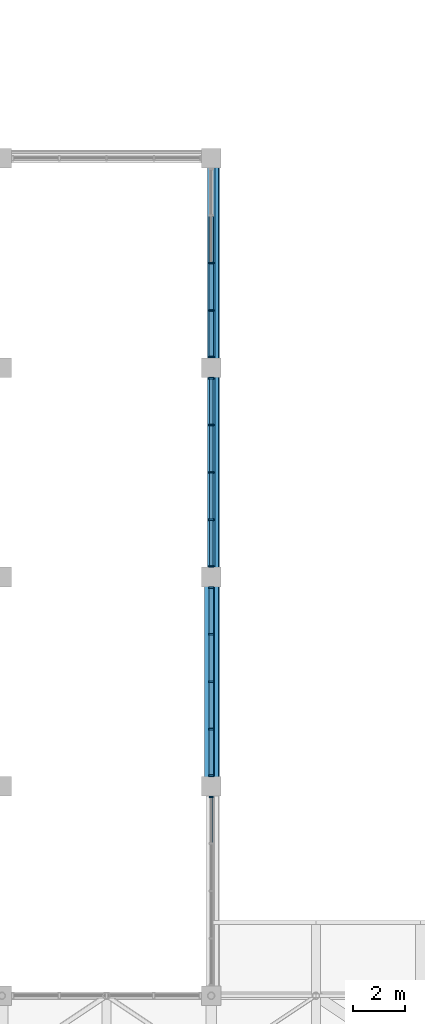
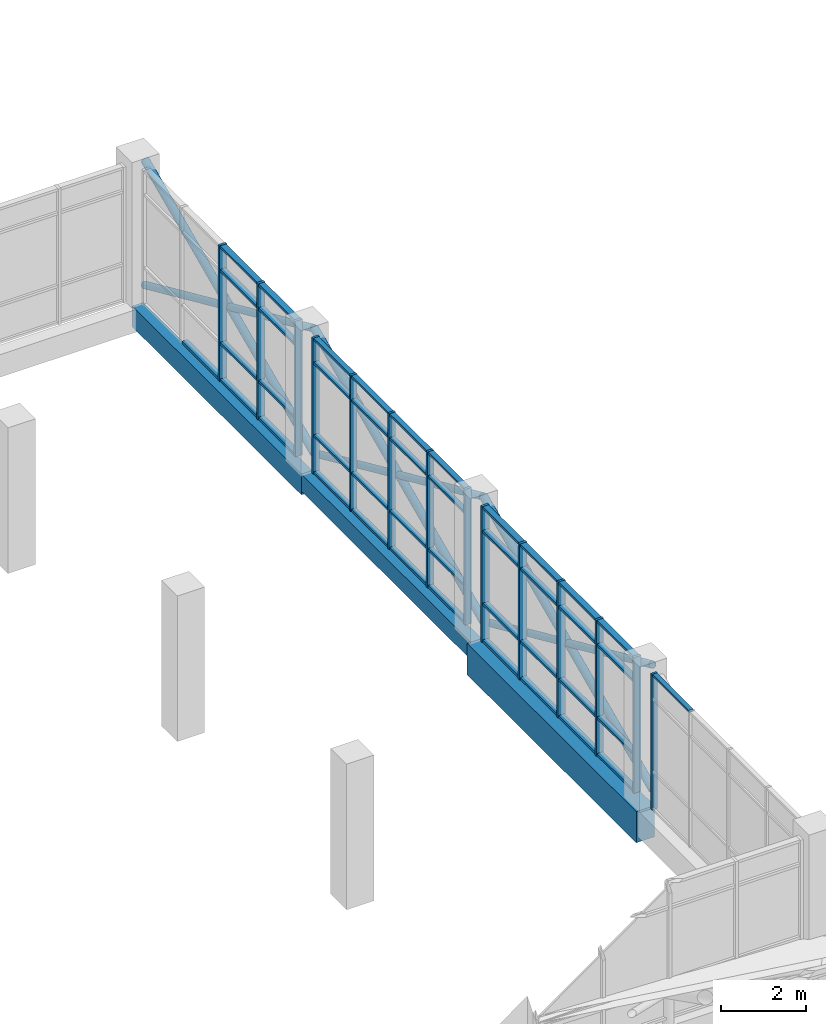
# One storey, part 35 of 72: 62 members, 3 beams, 4 elements without a shape of their own.
"""IFC4 building model written with IfcOpenShell, lengths in metres."""

import ifcopenshell
import ifcopenshell.guid

model = None  # the IFC model being written
_history = None  # IfcOwnerHistory: only IFC2X3 demands one
_inside = {}  # id of a spatial element -> (the spatial element, [elements in it])
_under = {}  # id of a project, library or spatial element -> (it, [spatial elements below it])
_declared = {}  # id of a project -> (the project, [libraries it declares])
_typed = {}  # id of a type object -> (the type object, [elements of that type])
_made_of = {}  # id of a material, layer set ... -> (it, [elements and type objects made of it])


def new_model(schema):
    """Start an empty IFC model of exactly this schema.

    Asked for "IFC4X3", IfcOpenShell would pick the latest addendum, in which some entities
    have other attributes; the version numbers below select the first issue.
    IFC2X3 requires an IfcOwnerHistory on every rooted entity: one is made here for all.
    """
    global model, _history
    if schema == "IFC4X3":
        model = ifcopenshell.file(schema_version=(4, 3, 0, 0))
    else:
        model = ifcopenshell.file(schema=schema)
    _inside.clear()
    _under.clear()
    _declared.clear()
    _typed.clear()
    _made_of.clear()
    _history = None
    if model.schema == "IFC2X3":
        org = make("IfcOrganization", Name="unknown")
        user = make(
            "IfcPersonAndOrganization",
            ThePerson=make("IfcPerson", FamilyName="unknown"),
            TheOrganization=org,
        )
        app = make(
            "IfcApplication",
            ApplicationDeveloper=org,
            Version="unknown",
            ApplicationFullName="unknown",
            ApplicationIdentifier="unknown",
        )
        _history = make(
            "IfcOwnerHistory",
            OwningUser=user,
            OwningApplication=app,
            ChangeAction="ADDED",
            CreationDate=0,
        )
    return model


def make(cls, **values):
    """One entity of the class cls with the attributes given. An attribute that is None is left unset."""
    return model.create_entity(
        cls, **{name: value for name, value in values.items() if value is not None}
    )


def rooted(cls, **values):
    """An entity with a GlobalId (a new one), such as an element, a storey or a relation."""
    return make(cls, GlobalId=ifcopenshell.guid.new(), OwnerHistory=_history, **values)


def si_unit(unit_type, name, prefix=None):
    """IfcSIUnit, for example si_unit("LENGTHUNIT", "METRE", prefix="MILLI")."""
    return make("IfcSIUnit", UnitType=unit_type, Prefix=prefix, Name=name)


def assignment(units):
    """IfcUnitAssignment: the units of a project."""
    return None if units is None else make("IfcUnitAssignment", Units=units)


def point(xyz):
    """IfcCartesianPoint."""
    return None if xyz is None else make("IfcCartesianPoint", Coordinates=xyz)


def direction(xyz):
    """IfcDirection."""
    return None if xyz is None else make("IfcDirection", DirectionRatios=xyz)


def frame(location, z_axis=None, x_axis=None):
    """IfcAxis2Placement3D, a coordinate frame: its origin and axes. An axis left out is left unset."""
    return make(
        "IfcAxis2Placement3D",
        Location=point(location),
        Axis=direction(z_axis),
        RefDirection=direction(x_axis),
    )


def frame_2d(location, x_axis=None):
    """IfcAxis2Placement2D, a coordinate frame in the plane: its origin and x axis."""
    return make(
        "IfcAxis2Placement2D", Location=point(location), RefDirection=direction(x_axis)
    )


def origin():
    """The frame at (0, 0, 0) with its axes left unset."""
    return frame((0.0, 0.0, 0.0))


def origin_2d():
    """The frame at (0, 0) in the plane with its x axis left unset."""
    return frame_2d((0.0, 0.0))


def place(relative_to, where):
    """IfcLocalPlacement: puts the frame where relative to a parent placement (None: the world)."""
    return make(
        "IfcLocalPlacement", PlacementRelTo=relative_to, RelativePlacement=where
    )


def context(
    kind, dimensions, precision=None, world=None, true_north=None, identifier=None
):
    """IfcGeometricRepresentationContext, for example the 3D "Model" context."""
    return make(
        "IfcGeometricRepresentationContext",
        ContextIdentifier=identifier,
        ContextType=kind,
        CoordinateSpaceDimension=dimensions,
        Precision=precision,
        WorldCoordinateSystem=world,
        TrueNorth=true_north,
    )


def subcontext(parent, identifier, kind, view, scale=None):
    """IfcGeometricRepresentationSubContext, for example "Body" below "Model"."""
    return make(
        "IfcGeometricRepresentationSubContext",
        ContextIdentifier=identifier,
        ContextType=kind,
        ParentContext=parent,
        TargetScale=scale,
        TargetView=view,
    )


def project(units=None, contexts=None):
    """IfcProject with its units and contexts."""
    return rooted(
        "IfcProject",
        Name="project",
        RepresentationContexts=contexts,
        UnitsInContext=assignment(units),
    )


def spatial(cls, under=None, at=None, **own):
    """A site, building, storey or space (cls), placed at a placement, below another one or the project."""
    s = rooted(cls, ObjectPlacement=at, **own)
    if under is not None:
        _under.setdefault(under.id(), (under, []))[1].append(s)
    return s


def profile(cls, at=None, kind="AREA", **sizes):
    """A parametric profile (cls). Its sizes go by their IFC names, for example OverallWidth=200.0."""
    return make(cls, ProfileType=kind, Position=at, **sizes)


def rectangle(**sizes):
    """IfcRectangleProfileDef."""
    return profile("IfcRectangleProfileDef", **sizes)


def hollow_circle(**sizes):
    """IfcCircleHollowProfileDef."""
    return profile("IfcCircleHollowProfileDef", **sizes)


def extrude(swept, where, along, depth):
    """IfcExtrudedAreaSolid: the profile swept, set in the frame where, extruded along a direction by depth."""
    return make(
        "IfcExtrudedAreaSolid",
        SweptArea=swept,
        Position=where,
        ExtrudedDirection=direction(along),
        Depth=depth,
    )


def shape(context_of_items, identifier, shape_type, items):
    """IfcShapeRepresentation: the items that make up one representation, for example the "Body"."""
    return make(
        "IfcShapeRepresentation",
        ContextOfItems=context_of_items,
        RepresentationIdentifier=identifier,
        RepresentationType=shape_type,
        Items=items,
    )


def material(Name=None, Category=None):
    """IfcMaterial."""
    return make("IfcMaterial", Name=Name, Category=Category)


def material_profile(
    of_material, cross_section, Name=None, Category=None, Priority=None
):
    """IfcMaterialProfile: a cross section and its material."""
    return make(
        "IfcMaterialProfile",
        Name=Name,
        Material=of_material,
        Profile=cross_section,
        Priority=Priority,
        Category=Category,
    )


def profile_set(profiles, Name=None, composite=None):
    """IfcMaterialProfileSet."""
    return make(
        "IfcMaterialProfileSet",
        Name=Name,
        MaterialProfiles=profiles,
        CompositeProfile=composite,
    )


def made_of(thing, what):
    """Note that an element or type object is made of a material, layer set ...; save() writes the relation."""
    if what is not None:
        _made_of.setdefault(what.id(), (what, []))[1].append(thing)
    return thing


def type_object(cls, material=None, **own):
    """A type object (cls), such as IfcWallType, which elements share."""
    return made_of(rooted(cls, **own), material)


def element(
    cls,
    number,
    at=None,
    inside=None,
    cuts=None,
    type_object=None,
    material=None,
    context=None,
    identifier="Body",
    shape_type=None,
    held_by="IfcProductDefinitionShape",
    body=None,
    shapes=None,
    **own,
):
    """One element of the class cls, such as IfcWall. Its Tag is "e" and its number.

    at: its placement. inside: the storey or other place that contains it. cuts: it is an
    opening in that element (IfcRelVoidsElement). A single representation is given by context,
    identifier, shape_type and body (its items); several are given by shapes. held_by: the class
    of the entity that holds the representations. save() writes the other relations.
    """
    e = rooted(cls, Tag="e%d" % number, ObjectPlacement=at, **own)
    if body is not None:
        shapes = [shape(context, identifier, shape_type, body)]
    if shapes is not None:
        e.Representation = make(held_by, Representations=shapes)
    if inside is not None:
        _inside.setdefault(inside.id(), (inside, []))[1].append(e)
    if cuts is not None:
        rooted(
            "IfcRelVoidsElement", RelatingBuildingElement=cuts, RelatedOpeningElement=e
        )
    if type_object is not None:
        _typed.setdefault(type_object.id(), (type_object, []))[1].append(e)
    return made_of(e, material)


def aggregate(whole, parts):
    """IfcRelAggregates: a whole, such as a stair, and the parts it consists of."""
    return rooted("IfcRelAggregates", RelatingObject=whole, RelatedObjects=parts)


def save(model, path):
    """Write the relations noted so far, then the file.

    IfcRelAggregates (storeys below a building ...), IfcRelContainedInSpatialStructure (elements
    in a storey), IfcRelDefinesByType, IfcRelAssociatesMaterial and IfcRelDeclares: one each for
    every whole, place, type object, material and project.
    """
    for whole, parts in _under.values():
        aggregate(whole, parts)
    for where, things in _inside.values():
        rooted(
            "IfcRelContainedInSpatialStructure",
            RelatedElements=things,
            RelatingStructure=where,
        )
    for kind, things in _typed.values():
        rooted("IfcRelDefinesByType", RelatedObjects=things, RelatingType=kind)
    for what, things in _made_of.values():
        rooted("IfcRelAssociatesMaterial", RelatedObjects=things, RelatingMaterial=what)
    for by, libraries in _declared.values():
        rooted("IfcRelDeclares", RelatingContext=by, RelatedDefinitions=libraries)
    model.write(path)


model = new_model("IFC4")

# Units and contexts
model_context = context("Model", 3, precision=1e-05, world=origin(), true_north=direction((0.0, 1.0)))
body_context = subcontext(model_context, "Body", "Model", "MODEL_VIEW")
ifc_project = project(units=[si_unit("LENGTHUNIT", "METRE"), si_unit("AREAUNIT", "SQUARE_METRE"), si_unit("VOLUMEUNIT", "CUBIC_METRE"), si_unit("PLANEANGLEUNIT", "RADIAN"), si_unit("MASSUNIT", "GRAM", prefix="KILO")], contexts=[model_context])

# Site, building, storey
site_placement = place(None, origin())
site = spatial("IfcSite", under=ifc_project, at=site_placement, CompositionType="ELEMENT")
building_placement = place(site_placement, origin())
building = spatial("IfcBuilding", under=site, at=building_placement, Name="Tenunan Teduh Sports Hall", CompositionType="ELEMENT")
storey_placement = place(building_placement, frame((0.0, 0.0, 15.0)))
storey = spatial("IfcBuildingStorey", under=building, at=storey_placement, Name="L03", CompositionType="ELEMENT", Elevation=15.0)

# Beams
ifc_material_1 = material(Name="Concrete C40/50", Category="concrete")
ifc_material_profile_1 = material_profile(ifc_material_1, rectangle(XDim=0.300048828125, YDim=0.5, at=origin_2d()), Name="RCB 300x500")
ifc_profile_set_1 = profile_set([ifc_material_profile_1], Name="Concrete C40/50")
beam_type_1 = type_object("IfcBeamType", Name="BM-RC-300x500", PredefinedType="BEAM", material=ifc_profile_set_1)
beam_1_placement = place(storey_placement, frame((154.0, 62.0, -0.489990234375), z_axis=(0.0, 1.0, 0.0), x_axis=(-1.0, 0.0, 0.0)))
element("IfcBeam", 1, at=beam_1_placement, inside=storey, type_object=beam_type_1, Name="BM-B-01-L03-1943", PredefinedType="BEAM", context=body_context, shape_type="SweptSolid", body=[
    extrude(rectangle(XDim=0.300048828125, YDim=0.5, at=origin_2d()), origin(), (0.0, 0.0, 1.0), 8.0),
])
ifc_material_2 = material(Name="Concrete C40/50", Category="concrete")
ifc_material_profile_2 = material_profile(ifc_material_2, rectangle(XDim=0.300048828125, YDim=0.60009765625, at=origin_2d()), Name="RCB 300x600")
ifc_profile_set_2 = profile_set([ifc_material_profile_2], Name="Concrete C40/50")
beam_type_2 = type_object("IfcBeamType", Name="BM-RC-300x600", PredefinedType="BEAM", material=ifc_profile_set_2)
beam_2_placement = place(storey_placement, frame((154.0, 70.0, -0.5400390625), z_axis=(0.0, 1.0, 0.0), x_axis=(-1.0, 0.0, 0.0)))
element("IfcBeam", 2, at=beam_2_placement, inside=storey, type_object=beam_type_2, Name="BM-B-03-L03-1944", PredefinedType="BEAM", context=body_context, shape_type="SweptSolid", body=[
    extrude(rectangle(XDim=0.300048828125, YDim=0.60009765625, at=origin_2d()), origin(), (0.0, 0.0, 1.0), 8.0),
])
ifc_material_3 = material(Name="Concrete C40/50", Category="concrete")
ifc_material_profile_3 = material_profile(ifc_material_3, rectangle(XDim=0.5, YDim=0.89990234375, at=origin_2d()), Name="RCB 500x900")
ifc_profile_set_3 = profile_set([ifc_material_profile_3], Name="Concrete C40/50")
beam_type_3 = type_object("IfcBeamType", Name="BM-RC-500x900", PredefinedType="BEAM", material=ifc_profile_set_3)
beam_3_placement = place(storey_placement, frame((154.0, 54.0, -0.68994140625), z_axis=(0.0, 1.0, 0.0), x_axis=(-1.0, 0.0, 0.0)))
element("IfcBeam", 3, at=beam_3_placement, inside=storey, type_object=beam_type_3, Name="BM-B-15-L03-1942", PredefinedType="BEAM", context=body_context, shape_type="SweptSolid", body=[
    extrude(rectangle(XDim=0.5, YDim=0.89990234375, at=origin_2d()), origin(), (0.0, 0.0, 1.0), 8.0),
])

# Curtain wall, member
ifc_material_4 = material(Name="Anodised aluminium", Category="aluminium")
curtain_wall_type = type_object("IfcCurtainWallType", Name="CW-UNIT-2", PredefinedType="NOTDEFINED", material=ifc_material_4)
curtain_wall_1_placement = place(storey_placement, origin())
curtain_wall_1 = element("IfcCurtainWall", 4, at=curtain_wall_1_placement, inside=storey, type_object=curtain_wall_type, Name="CW-CWM-150-L03-147", PredefinedType="NOTDEFINED")
ifc_material_5 = material(Name="Anodised aluminium", Category="aluminium")
ifc_material_profile_4 = material_profile(ifc_material_5, rectangle(XDim=0.06005859375, YDim=0.14990234375, at=origin_2d()), Name="CWM 60x150")
ifc_profile_set_4 = profile_set([ifc_material_profile_4], Name="Anodised aluminium")
member_type_1 = type_object("IfcMemberType", Name="CWM-150", PredefinedType="MULLION", material=ifc_profile_set_4)
member_1_placement = place(storey_placement, frame((154.0, 53.594970703125, 0.0), z_axis=(0.0, 0.0, 1.0), x_axis=(0.0, 1.0, 0.0)))
member_1 = element("IfcMember", 5, at=member_1_placement, type_object=member_type_1, Name="CW-02 mullion 5", PredefinedType="MULLION", context=body_context, shape_type="SweptSolid", body=[
    extrude(rectangle(XDim=0.06005859375, YDim=0.14990234375, at=origin_2d()), origin(), (0.0, 0.0, 1.0), 3.919921875),
])

# Curtain wall, members
curtain_wall_2_placement = place(storey_placement, origin())
curtain_wall_2 = element("IfcCurtainWall", 6, at=curtain_wall_2_placement, inside=storey, type_object=curtain_wall_type, Name="CW-CWM-175-L03-150", PredefinedType="NOTDEFINED")
ifc_material_6 = material(Name="Anodised aluminium", Category="aluminium")
ifc_material_profile_5 = material_profile(ifc_material_6, rectangle(XDim=0.06494140625, YDim=0.175048828125, at=origin_2d()), Name="CWM 65x175")
ifc_profile_set_5 = profile_set([ifc_material_profile_5], Name="Anodised aluminium")
member_type_2 = type_object("IfcMemberType", Name="CWM-175", PredefinedType="MULLION", material=ifc_profile_set_5)
member_2_placement = place(storey_placement, frame((154.0, 62.407470703125, 0.0), z_axis=(0.0, 0.0, 1.0), x_axis=(0.0, 1.0, 0.0)))
member_2 = element("IfcMember", 7, at=member_2_placement, type_object=member_type_2, Name="CW-02 mullion 1", PredefinedType="MULLION", context=body_context, shape_type="SweptSolid", body=[
    extrude(rectangle(XDim=0.06494140625, YDim=0.175048828125, at=origin_2d()), origin(), (0.0, 0.0, 1.0), 3.919921875),
])
member_3_placement = place(storey_placement, frame((154.0, 64.1875, 0.0), z_axis=(0.0, 0.0, 1.0), x_axis=(0.0, 1.0, 0.0)))
member_3 = element("IfcMember", 8, at=member_3_placement, type_object=member_type_2, Name="CW-02 mullion 2", PredefinedType="MULLION", context=body_context, shape_type="SweptSolid", body=[
    extrude(rectangle(XDim=0.06494140625, YDim=0.175048828125, at=origin_2d()), origin(), (0.0, 0.0, 1.0), 3.919921875),
])
member_4_placement = place(storey_placement, frame((154.0, 66.0, 0.0), z_axis=(0.0, 0.0, 1.0), x_axis=(0.0, 1.0, 0.0)))
member_4 = element("IfcMember", 9, at=member_4_placement, type_object=member_type_2, Name="CW-02 mullion 3", PredefinedType="MULLION", context=body_context, shape_type="SweptSolid", body=[
    extrude(rectangle(XDim=0.06494140625, YDim=0.175048828125, at=origin_2d()), origin(), (0.0, 0.0, 1.0), 3.919921875),
])
member_5_placement = place(storey_placement, frame((154.0, 67.8125, 0.0), z_axis=(0.0, 0.0, 1.0), x_axis=(0.0, 1.0, 0.0)))
member_5 = element("IfcMember", 10, at=member_5_placement, type_object=member_type_2, Name="CW-02 mullion 4", PredefinedType="MULLION", context=body_context, shape_type="SweptSolid", body=[
    extrude(rectangle(XDim=0.06494140625, YDim=0.175048828125, at=origin_2d()), origin(), (0.0, 0.0, 1.0), 3.919921875),
])
member_6_placement = place(storey_placement, frame((154.0, 69.592529296875, 0.0), z_axis=(0.0, 0.0, 1.0), x_axis=(0.0, 1.0, 0.0)))
member_6 = element("IfcMember", 11, at=member_6_placement, type_object=member_type_2, Name="CW-02 mullion 5", PredefinedType="MULLION", context=body_context, shape_type="SweptSolid", body=[
    extrude(rectangle(XDim=0.06494140625, YDim=0.175048828125, at=origin_2d()), origin(), (0.0, 0.0, 1.0), 3.919921875),
])

curtain_wall_3_placement = place(storey_placement, origin())
curtain_wall_3 = element("IfcCurtainWall", 12, at=curtain_wall_3_placement, inside=storey, type_object=curtain_wall_type, Name="CW-CWM-200-L03-148", PredefinedType="NOTDEFINED")
ifc_material_7 = material(Name="Anodised aluminium", Category="aluminium")
ifc_material_profile_6 = material_profile(ifc_material_7, rectangle(XDim=0.070068359375, YDim=0.199951171875, at=origin_2d()), Name="CWM 70x200")
ifc_profile_set_6 = profile_set([ifc_material_profile_6], Name="Anodised aluminium")
member_type_3 = type_object("IfcMemberType", Name="CWM-200", PredefinedType="MULLION", material=ifc_profile_set_6)
member_7_placement = place(storey_placement, frame((154.0, 54.409912109375, 0.0), z_axis=(0.0, 0.0, 1.0), x_axis=(0.0, 1.0, 0.0)))
member_7 = element("IfcMember", 13, at=member_7_placement, type_object=member_type_3, Name="CW-02 mullion 1", PredefinedType="MULLION", context=body_context, shape_type="SweptSolid", body=[
    extrude(rectangle(XDim=0.070068359375, YDim=0.199951171875, at=origin_2d()), origin(), (0.0, 0.0, 1.0), 3.919921875),
])
member_8_placement = place(storey_placement, frame((154.0, 56.1875, 0.0), z_axis=(0.0, 0.0, 1.0), x_axis=(0.0, 1.0, 0.0)))
member_8 = element("IfcMember", 14, at=member_8_placement, type_object=member_type_3, Name="CW-02 mullion 2", PredefinedType="MULLION", context=body_context, shape_type="SweptSolid", body=[
    extrude(rectangle(XDim=0.070068359375, YDim=0.199951171875, at=origin_2d()), origin(), (0.0, 0.0, 1.0), 3.919921875),
])
member_9_placement = place(storey_placement, frame((154.0, 58.0, 0.0), z_axis=(0.0, 0.0, 1.0), x_axis=(0.0, 1.0, 0.0)))
member_9 = element("IfcMember", 15, at=member_9_placement, type_object=member_type_3, Name="CW-02 mullion 3", PredefinedType="MULLION", context=body_context, shape_type="SweptSolid", body=[
    extrude(rectangle(XDim=0.070068359375, YDim=0.199951171875, at=origin_2d()), origin(), (0.0, 0.0, 1.0), 3.919921875),
])
member_10_placement = place(storey_placement, frame((154.0, 59.8125, 0.0), z_axis=(0.0, 0.0, 1.0), x_axis=(0.0, 1.0, 0.0)))
member_10 = element("IfcMember", 16, at=member_10_placement, type_object=member_type_3, Name="CW-02 mullion 4", PredefinedType="MULLION", context=body_context, shape_type="SweptSolid", body=[
    extrude(rectangle(XDim=0.070068359375, YDim=0.199951171875, at=origin_2d()), origin(), (0.0, 0.0, 1.0), 3.919921875),
])
member_11_placement = place(storey_placement, frame((154.0, 61.590087890625, 0.0), z_axis=(0.0, 0.0, 1.0), x_axis=(0.0, 1.0, 0.0)))
member_11 = element("IfcMember", 17, at=member_11_placement, type_object=member_type_3, Name="CW-02 mullion 5", PredefinedType="MULLION", context=body_context, shape_type="SweptSolid", body=[
    extrude(rectangle(XDim=0.070068359375, YDim=0.199951171875, at=origin_2d()), origin(), (0.0, 0.0, 1.0), 3.919921875),
])

curtain_wall_4_placement = place(storey_placement, origin())
curtain_wall_4 = element("IfcCurtainWall", 18, at=curtain_wall_4_placement, inside=storey, type_object=curtain_wall_type, Name="CW-CWM-200-L03-152", PredefinedType="NOTDEFINED")
member_12_placement = place(storey_placement, frame((154.0, 70.409912109375, 0.0), z_axis=(0.0, 0.0, 1.0), x_axis=(0.0, 1.0, 0.0)))
member_12 = element("IfcMember", 19, at=member_12_placement, type_object=member_type_3, Name="CW-02 mullion 1", PredefinedType="MULLION", context=body_context, shape_type="SweptSolid", body=[
    extrude(rectangle(XDim=0.070068359375, YDim=0.199951171875, at=origin_2d()), origin(), (0.0, 0.0, 1.0), 3.919921875),
])
member_13_placement = place(storey_placement, frame((154.0, 72.1875, 0.0), z_axis=(0.0, 0.0, 1.0), x_axis=(0.0, 1.0, 0.0)))
member_13 = element("IfcMember", 20, at=member_13_placement, type_object=member_type_3, Name="CW-02 mullion 2", PredefinedType="MULLION", context=body_context, shape_type="SweptSolid", body=[
    extrude(rectangle(XDim=0.070068359375, YDim=0.199951171875, at=origin_2d()), origin(), (0.0, 0.0, 1.0), 3.919921875),
])
member_14_placement = place(storey_placement, frame((154.0, 74.0, 0.0), z_axis=(0.0, 0.0, 1.0), x_axis=(0.0, 1.0, 0.0)))
member_14 = element("IfcMember", 21, at=member_14_placement, type_object=member_type_3, Name="CW-02 mullion 3", PredefinedType="MULLION", context=body_context, shape_type="SweptSolid", body=[
    extrude(rectangle(XDim=0.070068359375, YDim=0.199951171875, at=origin_2d()), origin(), (0.0, 0.0, 1.0), 3.919921875),
])

# Member
ifc_material_8 = material(Name="Anodised aluminium", Category="aluminium")
ifc_material_profile_7 = material_profile(ifc_material_8, rectangle(XDim=0.06005859375, YDim=0.1201171875, at=origin_2d()), Name="CWT 60x120")
ifc_profile_set_7 = profile_set([ifc_material_profile_7], Name="Anodised aluminium")
member_type_4 = type_object("IfcMemberType", Name="CWT-125", PredefinedType="USERDEFINED", material=ifc_profile_set_7)
member_15_placement = place(storey_placement, frame((154.0, 51.842529296875, 3.889892578125), z_axis=(0.0, 1.0, 0.0), x_axis=(0.0, 0.0, 1.0)))
member_15 = element("IfcMember", 22, at=member_15_placement, type_object=member_type_4, Name="CW-02 transom 4.4", ObjectType="TRANSOM", PredefinedType="USERDEFINED", context=body_context, shape_type="SweptSolid", body=[
    extrude(rectangle(XDim=0.06005859375, YDim=0.1201171875, at=origin_2d()), origin(), (0.0, 0.0, 1.0), 1.722412109375),
])

aggregate(curtain_wall_1, [member_1, member_15])

ifc_material_9 = material(Name="Anodised aluminium", Category="aluminium")
ifc_material_profile_8 = material_profile(ifc_material_9, rectangle(XDim=0.06494140625, YDim=0.139892578125, at=origin_2d()), Name="CWT 65x140")
ifc_profile_set_8 = profile_set([ifc_material_profile_8], Name="Anodised aluminium")
member_type_5 = type_object("IfcMemberType", Name="CWT-150", PredefinedType="USERDEFINED", material=ifc_profile_set_8)
member_16_placement = place(storey_placement, frame((154.0, 62.43994140625, 0.032470703125), z_axis=(0.0, 1.0, 0.0), x_axis=(0.0, 0.0, 1.0)))
member_16 = element("IfcMember", 23, at=member_16_placement, type_object=member_type_5, Name="CW-02 transom 1.1", ObjectType="TRANSOM", PredefinedType="USERDEFINED", context=body_context, shape_type="SweptSolid", body=[
    extrude(rectangle(XDim=0.06494140625, YDim=0.139892578125, at=origin_2d()), origin(), (0.0, 0.0, 1.0), 1.715087890625),
])

member_17_placement = place(storey_placement, frame((154.0, 62.43994140625, 1.10009765625), z_axis=(0.0, 1.0, 0.0), x_axis=(0.0, 0.0, 1.0)))
member_17 = element("IfcMember", 24, at=member_17_placement, type_object=member_type_5, Name="CW-02 transom 1.2", ObjectType="TRANSOM", PredefinedType="USERDEFINED", context=body_context, shape_type="SweptSolid", body=[
    extrude(rectangle(XDim=0.06494140625, YDim=0.139892578125, at=origin_2d()), origin(), (0.0, 0.0, 1.0), 1.715087890625),
])

member_18_placement = place(storey_placement, frame((154.0, 62.43994140625, 3.199951171875), z_axis=(0.0, 1.0, 0.0), x_axis=(0.0, 0.0, 1.0)))
member_18 = element("IfcMember", 25, at=member_18_placement, type_object=member_type_5, Name="CW-02 transom 1.3", ObjectType="TRANSOM", PredefinedType="USERDEFINED", context=body_context, shape_type="SweptSolid", body=[
    extrude(rectangle(XDim=0.06494140625, YDim=0.139892578125, at=origin_2d()), origin(), (0.0, 0.0, 1.0), 1.715087890625),
])

member_19_placement = place(storey_placement, frame((154.0, 62.43994140625, 3.887451171875), z_axis=(0.0, 1.0, 0.0), x_axis=(0.0, 0.0, 1.0)))
member_19 = element("IfcMember", 26, at=member_19_placement, type_object=member_type_5, Name="CW-02 transom 1.4", ObjectType="TRANSOM", PredefinedType="USERDEFINED", context=body_context, shape_type="SweptSolid", body=[
    extrude(rectangle(XDim=0.06494140625, YDim=0.139892578125, at=origin_2d()), origin(), (0.0, 0.0, 1.0), 1.715087890625),
])

member_20_placement = place(storey_placement, frame((154.0, 64.219970703125, 0.032470703125), z_axis=(0.0, 1.0, 0.0), x_axis=(0.0, 0.0, 1.0)))
member_20 = element("IfcMember", 27, at=member_20_placement, type_object=member_type_5, Name="CW-02 transom 2.1", ObjectType="TRANSOM", PredefinedType="USERDEFINED", context=body_context, shape_type="SweptSolid", body=[
    extrude(rectangle(XDim=0.06494140625, YDim=0.139892578125, at=origin_2d()), origin(), (0.0, 0.0, 1.0), 1.74755859375),
])

member_21_placement = place(storey_placement, frame((154.0, 64.219970703125, 1.10009765625), z_axis=(0.0, 1.0, 0.0), x_axis=(0.0, 0.0, 1.0)))
member_21 = element("IfcMember", 28, at=member_21_placement, type_object=member_type_5, Name="CW-02 transom 2.2", ObjectType="TRANSOM", PredefinedType="USERDEFINED", context=body_context, shape_type="SweptSolid", body=[
    extrude(rectangle(XDim=0.06494140625, YDim=0.139892578125, at=origin_2d()), origin(), (0.0, 0.0, 1.0), 1.74755859375),
])

member_22_placement = place(storey_placement, frame((154.0, 64.219970703125, 3.199951171875), z_axis=(0.0, 1.0, 0.0), x_axis=(0.0, 0.0, 1.0)))
member_22 = element("IfcMember", 29, at=member_22_placement, type_object=member_type_5, Name="CW-02 transom 2.3", ObjectType="TRANSOM", PredefinedType="USERDEFINED", context=body_context, shape_type="SweptSolid", body=[
    extrude(rectangle(XDim=0.06494140625, YDim=0.139892578125, at=origin_2d()), origin(), (0.0, 0.0, 1.0), 1.74755859375),
])

member_23_placement = place(storey_placement, frame((154.0, 64.219970703125, 3.887451171875), z_axis=(0.0, 1.0, 0.0), x_axis=(0.0, 0.0, 1.0)))
member_23 = element("IfcMember", 30, at=member_23_placement, type_object=member_type_5, Name="CW-02 transom 2.4", ObjectType="TRANSOM", PredefinedType="USERDEFINED", context=body_context, shape_type="SweptSolid", body=[
    extrude(rectangle(XDim=0.06494140625, YDim=0.139892578125, at=origin_2d()), origin(), (0.0, 0.0, 1.0), 1.74755859375),
])

member_24_placement = place(storey_placement, frame((154.0, 66.032470703125, 0.032470703125), z_axis=(0.0, 1.0, 0.0), x_axis=(0.0, 0.0, 1.0)))
member_24 = element("IfcMember", 31, at=member_24_placement, type_object=member_type_5, Name="CW-02 transom 3.1", ObjectType="TRANSOM", PredefinedType="USERDEFINED", context=body_context, shape_type="SweptSolid", body=[
    extrude(rectangle(XDim=0.06494140625, YDim=0.139892578125, at=origin_2d()), origin(), (0.0, 0.0, 1.0), 1.74755859375),
])

member_25_placement = place(storey_placement, frame((154.0, 66.032470703125, 1.10009765625), z_axis=(0.0, 1.0, 0.0), x_axis=(0.0, 0.0, 1.0)))
member_25 = element("IfcMember", 32, at=member_25_placement, type_object=member_type_5, Name="CW-02 transom 3.2", ObjectType="TRANSOM", PredefinedType="USERDEFINED", context=body_context, shape_type="SweptSolid", body=[
    extrude(rectangle(XDim=0.06494140625, YDim=0.139892578125, at=origin_2d()), origin(), (0.0, 0.0, 1.0), 1.74755859375),
])

member_26_placement = place(storey_placement, frame((154.0, 66.032470703125, 3.199951171875), z_axis=(0.0, 1.0, 0.0), x_axis=(0.0, 0.0, 1.0)))
member_26 = element("IfcMember", 33, at=member_26_placement, type_object=member_type_5, Name="CW-02 transom 3.3", ObjectType="TRANSOM", PredefinedType="USERDEFINED", context=body_context, shape_type="SweptSolid", body=[
    extrude(rectangle(XDim=0.06494140625, YDim=0.139892578125, at=origin_2d()), origin(), (0.0, 0.0, 1.0), 1.74755859375),
])

member_27_placement = place(storey_placement, frame((154.0, 66.032470703125, 3.887451171875), z_axis=(0.0, 1.0, 0.0), x_axis=(0.0, 0.0, 1.0)))
member_27 = element("IfcMember", 34, at=member_27_placement, type_object=member_type_5, Name="CW-02 transom 3.4", ObjectType="TRANSOM", PredefinedType="USERDEFINED", context=body_context, shape_type="SweptSolid", body=[
    extrude(rectangle(XDim=0.06494140625, YDim=0.139892578125, at=origin_2d()), origin(), (0.0, 0.0, 1.0), 1.74755859375),
])

member_28_placement = place(storey_placement, frame((154.0, 67.844970703125, 0.032470703125), z_axis=(0.0, 1.0, 0.0), x_axis=(0.0, 0.0, 1.0)))
member_28 = element("IfcMember", 35, at=member_28_placement, type_object=member_type_5, Name="CW-02 transom 4.1", ObjectType="TRANSOM", PredefinedType="USERDEFINED", context=body_context, shape_type="SweptSolid", body=[
    extrude(rectangle(XDim=0.06494140625, YDim=0.139892578125, at=origin_2d()), origin(), (0.0, 0.0, 1.0), 1.715087890625),
])

member_29_placement = place(storey_placement, frame((154.0, 67.844970703125, 1.10009765625), z_axis=(0.0, 1.0, 0.0), x_axis=(0.0, 0.0, 1.0)))
member_29 = element("IfcMember", 36, at=member_29_placement, type_object=member_type_5, Name="CW-02 transom 4.2", ObjectType="TRANSOM", PredefinedType="USERDEFINED", context=body_context, shape_type="SweptSolid", body=[
    extrude(rectangle(XDim=0.06494140625, YDim=0.139892578125, at=origin_2d()), origin(), (0.0, 0.0, 1.0), 1.715087890625),
])

member_30_placement = place(storey_placement, frame((154.0, 67.844970703125, 3.199951171875), z_axis=(0.0, 1.0, 0.0), x_axis=(0.0, 0.0, 1.0)))
member_30 = element("IfcMember", 37, at=member_30_placement, type_object=member_type_5, Name="CW-02 transom 4.3", ObjectType="TRANSOM", PredefinedType="USERDEFINED", context=body_context, shape_type="SweptSolid", body=[
    extrude(rectangle(XDim=0.06494140625, YDim=0.139892578125, at=origin_2d()), origin(), (0.0, 0.0, 1.0), 1.715087890625),
])

member_31_placement = place(storey_placement, frame((154.0, 67.844970703125, 3.887451171875), z_axis=(0.0, 1.0, 0.0), x_axis=(0.0, 0.0, 1.0)))
member_31 = element("IfcMember", 38, at=member_31_placement, type_object=member_type_5, Name="CW-02 transom 4.4", ObjectType="TRANSOM", PredefinedType="USERDEFINED", context=body_context, shape_type="SweptSolid", body=[
    extrude(rectangle(XDim=0.06494140625, YDim=0.139892578125, at=origin_2d()), origin(), (0.0, 0.0, 1.0), 1.715087890625),
])

aggregate(curtain_wall_2, [member_2, member_3, member_4, member_5, member_6, member_16, member_17, member_18, member_19, member_20, member_21, member_22, member_23, member_24, member_25, member_26, member_27, member_28, member_29, member_30, member_31])

ifc_material_10 = material(Name="Anodised aluminium", Category="aluminium")
ifc_material_profile_9 = material_profile(ifc_material_10, rectangle(XDim=0.070068359375, YDim=0.159912109375, at=origin_2d()), Name="CWT 70x160")
ifc_profile_set_9 = profile_set([ifc_material_profile_9], Name="Anodised aluminium")
member_type_6 = type_object("IfcMemberType", Name="CWT-200", PredefinedType="USERDEFINED", material=ifc_profile_set_9)
member_32_placement = place(storey_placement, frame((154.0, 54.445068359375, 0.034912109375), z_axis=(0.0, 1.0, 0.0), x_axis=(0.0, 0.0, 1.0)))
member_32 = element("IfcMember", 39, at=member_32_placement, type_object=member_type_6, Name="CW-02 transom 1.1", ObjectType="TRANSOM", PredefinedType="USERDEFINED", context=body_context, shape_type="SweptSolid", body=[
    extrude(rectangle(XDim=0.070068359375, YDim=0.159912109375, at=origin_2d()), origin(), (0.0, 0.0, 1.0), 1.70751953125),
])

member_33_placement = place(storey_placement, frame((154.0, 54.445068359375, 1.10009765625), z_axis=(0.0, 1.0, 0.0), x_axis=(0.0, 0.0, 1.0)))
member_33 = element("IfcMember", 40, at=member_33_placement, type_object=member_type_6, Name="CW-02 transom 1.2", ObjectType="TRANSOM", PredefinedType="USERDEFINED", context=body_context, shape_type="SweptSolid", body=[
    extrude(rectangle(XDim=0.070068359375, YDim=0.159912109375, at=origin_2d()), origin(), (0.0, 0.0, 1.0), 1.70751953125),
])

member_34_placement = place(storey_placement, frame((154.0, 54.445068359375, 3.199951171875), z_axis=(0.0, 1.0, 0.0), x_axis=(0.0, 0.0, 1.0)))
member_34 = element("IfcMember", 41, at=member_34_placement, type_object=member_type_6, Name="CW-02 transom 1.3", ObjectType="TRANSOM", PredefinedType="USERDEFINED", context=body_context, shape_type="SweptSolid", body=[
    extrude(rectangle(XDim=0.070068359375, YDim=0.159912109375, at=origin_2d()), origin(), (0.0, 0.0, 1.0), 1.70751953125),
])

member_35_placement = place(storey_placement, frame((154.0, 54.445068359375, 3.885009765625), z_axis=(0.0, 1.0, 0.0), x_axis=(0.0, 0.0, 1.0)))
member_35 = element("IfcMember", 42, at=member_35_placement, type_object=member_type_6, Name="CW-02 transom 1.4", ObjectType="TRANSOM", PredefinedType="USERDEFINED", context=body_context, shape_type="SweptSolid", body=[
    extrude(rectangle(XDim=0.070068359375, YDim=0.159912109375, at=origin_2d()), origin(), (0.0, 0.0, 1.0), 1.70751953125),
])

member_36_placement = place(storey_placement, frame((154.0, 56.222412109375, 0.034912109375), z_axis=(0.0, 1.0, 0.0), x_axis=(0.0, 0.0, 1.0)))
member_36 = element("IfcMember", 43, at=member_36_placement, type_object=member_type_6, Name="CW-02 transom 2.1", ObjectType="TRANSOM", PredefinedType="USERDEFINED", context=body_context, shape_type="SweptSolid", body=[
    extrude(rectangle(XDim=0.070068359375, YDim=0.159912109375, at=origin_2d()), origin(), (0.0, 0.0, 1.0), 1.74267578125),
])

member_37_placement = place(storey_placement, frame((154.0, 56.222412109375, 1.10009765625), z_axis=(0.0, 1.0, 0.0), x_axis=(0.0, 0.0, 1.0)))
member_37 = element("IfcMember", 44, at=member_37_placement, type_object=member_type_6, Name="CW-02 transom 2.2", ObjectType="TRANSOM", PredefinedType="USERDEFINED", context=body_context, shape_type="SweptSolid", body=[
    extrude(rectangle(XDim=0.070068359375, YDim=0.159912109375, at=origin_2d()), origin(), (0.0, 0.0, 1.0), 1.74267578125),
])

member_38_placement = place(storey_placement, frame((154.0, 56.222412109375, 3.199951171875), z_axis=(0.0, 1.0, 0.0), x_axis=(0.0, 0.0, 1.0)))
member_38 = element("IfcMember", 45, at=member_38_placement, type_object=member_type_6, Name="CW-02 transom 2.3", ObjectType="TRANSOM", PredefinedType="USERDEFINED", context=body_context, shape_type="SweptSolid", body=[
    extrude(rectangle(XDim=0.070068359375, YDim=0.159912109375, at=origin_2d()), origin(), (0.0, 0.0, 1.0), 1.74267578125),
])

member_39_placement = place(storey_placement, frame((154.0, 56.222412109375, 3.885009765625), z_axis=(0.0, 1.0, 0.0), x_axis=(0.0, 0.0, 1.0)))
member_39 = element("IfcMember", 46, at=member_39_placement, type_object=member_type_6, Name="CW-02 transom 2.4", ObjectType="TRANSOM", PredefinedType="USERDEFINED", context=body_context, shape_type="SweptSolid", body=[
    extrude(rectangle(XDim=0.070068359375, YDim=0.159912109375, at=origin_2d()), origin(), (0.0, 0.0, 1.0), 1.74267578125),
])

member_40_placement = place(storey_placement, frame((154.0, 58.034912109375, 0.034912109375), z_axis=(0.0, 1.0, 0.0), x_axis=(0.0, 0.0, 1.0)))
member_40 = element("IfcMember", 47, at=member_40_placement, type_object=member_type_6, Name="CW-02 transom 3.1", ObjectType="TRANSOM", PredefinedType="USERDEFINED", context=body_context, shape_type="SweptSolid", body=[
    extrude(rectangle(XDim=0.070068359375, YDim=0.159912109375, at=origin_2d()), origin(), (0.0, 0.0, 1.0), 1.74267578125),
])

member_41_placement = place(storey_placement, frame((154.0, 58.034912109375, 1.10009765625), z_axis=(0.0, 1.0, 0.0), x_axis=(0.0, 0.0, 1.0)))
member_41 = element("IfcMember", 48, at=member_41_placement, type_object=member_type_6, Name="CW-02 transom 3.2", ObjectType="TRANSOM", PredefinedType="USERDEFINED", context=body_context, shape_type="SweptSolid", body=[
    extrude(rectangle(XDim=0.070068359375, YDim=0.159912109375, at=origin_2d()), origin(), (0.0, 0.0, 1.0), 1.74267578125),
])

member_42_placement = place(storey_placement, frame((154.0, 58.034912109375, 3.199951171875), z_axis=(0.0, 1.0, 0.0), x_axis=(0.0, 0.0, 1.0)))
member_42 = element("IfcMember", 49, at=member_42_placement, type_object=member_type_6, Name="CW-02 transom 3.3", ObjectType="TRANSOM", PredefinedType="USERDEFINED", context=body_context, shape_type="SweptSolid", body=[
    extrude(rectangle(XDim=0.070068359375, YDim=0.159912109375, at=origin_2d()), origin(), (0.0, 0.0, 1.0), 1.74267578125),
])

member_43_placement = place(storey_placement, frame((154.0, 58.034912109375, 3.885009765625), z_axis=(0.0, 1.0, 0.0), x_axis=(0.0, 0.0, 1.0)))
member_43 = element("IfcMember", 50, at=member_43_placement, type_object=member_type_6, Name="CW-02 transom 3.4", ObjectType="TRANSOM", PredefinedType="USERDEFINED", context=body_context, shape_type="SweptSolid", body=[
    extrude(rectangle(XDim=0.070068359375, YDim=0.159912109375, at=origin_2d()), origin(), (0.0, 0.0, 1.0), 1.74267578125),
])

member_44_placement = place(storey_placement, frame((154.0, 59.847412109375, 0.034912109375), z_axis=(0.0, 1.0, 0.0), x_axis=(0.0, 0.0, 1.0)))
member_44 = element("IfcMember", 51, at=member_44_placement, type_object=member_type_6, Name="CW-02 transom 4.1", ObjectType="TRANSOM", PredefinedType="USERDEFINED", context=body_context, shape_type="SweptSolid", body=[
    extrude(rectangle(XDim=0.070068359375, YDim=0.159912109375, at=origin_2d()), origin(), (0.0, 0.0, 1.0), 1.70751953125),
])

member_45_placement = place(storey_placement, frame((154.0, 59.847412109375, 1.10009765625), z_axis=(0.0, 1.0, 0.0), x_axis=(0.0, 0.0, 1.0)))
member_45 = element("IfcMember", 52, at=member_45_placement, type_object=member_type_6, Name="CW-02 transom 4.2", ObjectType="TRANSOM", PredefinedType="USERDEFINED", context=body_context, shape_type="SweptSolid", body=[
    extrude(rectangle(XDim=0.070068359375, YDim=0.159912109375, at=origin_2d()), origin(), (0.0, 0.0, 1.0), 1.70751953125),
])

member_46_placement = place(storey_placement, frame((154.0, 59.847412109375, 3.199951171875), z_axis=(0.0, 1.0, 0.0), x_axis=(0.0, 0.0, 1.0)))
member_46 = element("IfcMember", 53, at=member_46_placement, type_object=member_type_6, Name="CW-02 transom 4.3", ObjectType="TRANSOM", PredefinedType="USERDEFINED", context=body_context, shape_type="SweptSolid", body=[
    extrude(rectangle(XDim=0.070068359375, YDim=0.159912109375, at=origin_2d()), origin(), (0.0, 0.0, 1.0), 1.70751953125),
])

member_47_placement = place(storey_placement, frame((154.0, 59.847412109375, 3.885009765625), z_axis=(0.0, 1.0, 0.0), x_axis=(0.0, 0.0, 1.0)))
member_47 = element("IfcMember", 54, at=member_47_placement, type_object=member_type_6, Name="CW-02 transom 4.4", ObjectType="TRANSOM", PredefinedType="USERDEFINED", context=body_context, shape_type="SweptSolid", body=[
    extrude(rectangle(XDim=0.070068359375, YDim=0.159912109375, at=origin_2d()), origin(), (0.0, 0.0, 1.0), 1.70751953125),
])

aggregate(curtain_wall_3, [member_7, member_8, member_9, member_10, member_11, member_32, member_33, member_34, member_35, member_36, member_37, member_38, member_39, member_40, member_41, member_42, member_43, member_44, member_45, member_46, member_47])

member_48_placement = place(storey_placement, frame((154.0, 70.445068359375, 0.034912109375), z_axis=(0.0, 1.0, 0.0), x_axis=(0.0, 0.0, 1.0)))
member_48 = element("IfcMember", 55, at=member_48_placement, type_object=member_type_6, Name="CW-02 transom 1.1", ObjectType="TRANSOM", PredefinedType="USERDEFINED", context=body_context, shape_type="SweptSolid", body=[
    extrude(rectangle(XDim=0.070068359375, YDim=0.159912109375, at=origin_2d()), origin(), (0.0, 0.0, 1.0), 1.70751953125),
])

member_49_placement = place(storey_placement, frame((154.0, 70.445068359375, 1.10009765625), z_axis=(0.0, 1.0, 0.0), x_axis=(0.0, 0.0, 1.0)))
member_49 = element("IfcMember", 56, at=member_49_placement, type_object=member_type_6, Name="CW-02 transom 1.2", ObjectType="TRANSOM", PredefinedType="USERDEFINED", context=body_context, shape_type="SweptSolid", body=[
    extrude(rectangle(XDim=0.070068359375, YDim=0.159912109375, at=origin_2d()), origin(), (0.0, 0.0, 1.0), 1.70751953125),
])

member_50_placement = place(storey_placement, frame((154.0, 70.445068359375, 3.199951171875), z_axis=(0.0, 1.0, 0.0), x_axis=(0.0, 0.0, 1.0)))
member_50 = element("IfcMember", 57, at=member_50_placement, type_object=member_type_6, Name="CW-02 transom 1.3", ObjectType="TRANSOM", PredefinedType="USERDEFINED", context=body_context, shape_type="SweptSolid", body=[
    extrude(rectangle(XDim=0.070068359375, YDim=0.159912109375, at=origin_2d()), origin(), (0.0, 0.0, 1.0), 1.70751953125),
])

member_51_placement = place(storey_placement, frame((154.0, 70.445068359375, 3.885009765625), z_axis=(0.0, 1.0, 0.0), x_axis=(0.0, 0.0, 1.0)))
member_51 = element("IfcMember", 58, at=member_51_placement, type_object=member_type_6, Name="CW-02 transom 1.4", ObjectType="TRANSOM", PredefinedType="USERDEFINED", context=body_context, shape_type="SweptSolid", body=[
    extrude(rectangle(XDim=0.070068359375, YDim=0.159912109375, at=origin_2d()), origin(), (0.0, 0.0, 1.0), 1.70751953125),
])

member_52_placement = place(storey_placement, frame((154.0, 72.222412109375, 0.034912109375), z_axis=(0.0, 1.0, 0.0), x_axis=(0.0, 0.0, 1.0)))
member_52 = element("IfcMember", 59, at=member_52_placement, type_object=member_type_6, Name="CW-02 transom 2.1", ObjectType="TRANSOM", PredefinedType="USERDEFINED", context=body_context, shape_type="SweptSolid", body=[
    extrude(rectangle(XDim=0.070068359375, YDim=0.159912109375, at=origin_2d()), origin(), (0.0, 0.0, 1.0), 1.74267578125),
])

member_53_placement = place(storey_placement, frame((154.0, 72.222412109375, 1.10009765625), z_axis=(0.0, 1.0, 0.0), x_axis=(0.0, 0.0, 1.0)))
member_53 = element("IfcMember", 60, at=member_53_placement, type_object=member_type_6, Name="CW-02 transom 2.2", ObjectType="TRANSOM", PredefinedType="USERDEFINED", context=body_context, shape_type="SweptSolid", body=[
    extrude(rectangle(XDim=0.070068359375, YDim=0.159912109375, at=origin_2d()), origin(), (0.0, 0.0, 1.0), 1.74267578125),
])

member_54_placement = place(storey_placement, frame((154.0, 72.222412109375, 3.199951171875), z_axis=(0.0, 1.0, 0.0), x_axis=(0.0, 0.0, 1.0)))
member_54 = element("IfcMember", 61, at=member_54_placement, type_object=member_type_6, Name="CW-02 transom 2.3", ObjectType="TRANSOM", PredefinedType="USERDEFINED", context=body_context, shape_type="SweptSolid", body=[
    extrude(rectangle(XDim=0.070068359375, YDim=0.159912109375, at=origin_2d()), origin(), (0.0, 0.0, 1.0), 1.74267578125),
])

member_55_placement = place(storey_placement, frame((154.0, 72.222412109375, 3.885009765625), z_axis=(0.0, 1.0, 0.0), x_axis=(0.0, 0.0, 1.0)))
member_55 = element("IfcMember", 62, at=member_55_placement, type_object=member_type_6, Name="CW-02 transom 2.4", ObjectType="TRANSOM", PredefinedType="USERDEFINED", context=body_context, shape_type="SweptSolid", body=[
    extrude(rectangle(XDim=0.070068359375, YDim=0.159912109375, at=origin_2d()), origin(), (0.0, 0.0, 1.0), 1.74267578125),
])

member_56_placement = place(storey_placement, frame((154.0, 74.034912109375, 0.034912109375), z_axis=(0.0, 1.0, 0.0), x_axis=(0.0, 0.0, 1.0)))
member_56 = element("IfcMember", 63, at=member_56_placement, type_object=member_type_6, Name="CW-02 transom 3.1", ObjectType="TRANSOM", PredefinedType="USERDEFINED", context=body_context, shape_type="SweptSolid", body=[
    extrude(rectangle(XDim=0.070068359375, YDim=0.159912109375, at=origin_2d()), origin(), (0.0, 0.0, 1.0), 1.74267578125),
])

aggregate(curtain_wall_4, [member_12, member_13, member_14, member_48, member_49, member_50, member_51, member_52, member_53, member_54, member_55, member_56])

# Members
ifc_material_11 = material(Name="Steel S355", Category="steel")
ifc_material_profile_10 = material_profile(ifc_material_11, hollow_circle(Radius=0.096923828125, WallThickness=0.008056640625, at=origin_2d()), Name="CHS 193.7x8.0")
ifc_profile_set_10 = profile_set([ifc_material_profile_10], Name="Steel S355")
member_type_7 = type_object("IfcMemberType", Name="MEM-BR-CHS194", PredefinedType="BRACE", material=ifc_profile_set_10)
for number, where, z_axis, x_axis, name in (
    (64, (154.18994140625, 62.0, 0.25), (0.0, -0.91191733938, 0.410373934525), (1.0, 0.0, 0.0), "MEM-GD-03-L03-1103"),
    (65, (154.18994140625, 70.0, 0.25), (0.0, -0.91191733938, 0.410373934525), (1.0, 0.0, 0.0), "MEM-GD-03-L03-1105"),
    (66, (154.18994140625, 78.0, 0.25), (0.0, -0.91191733938, 0.410373934525), (1.0, 0.0, 0.0), "MEM-GD-03-L03-1107"),
):
    element("IfcMember", number, at=place(storey_placement, frame(where, z_axis=z_axis, x_axis=x_axis)), inside=storey, type_object=member_type_7, Name=name, PredefinedType="BRACE", context=body_context, shape_type="SweptSolid", body=[
        extrude(hollow_circle(Radius=0.096923828125, WallThickness=0.008056640625, at=origin_2d()), origin(), (0.0, 0.0, 1.0), 8.772705078125),
    ])
ifc_material_12 = material(Name="Steel S355", Category="steel")
ifc_material_profile_11 = material_profile(ifc_material_12, hollow_circle(Radius=0.109619140625, WallThickness=0.010009765625, at=origin_2d()), Name="CHS 219.1x10.0")
ifc_profile_set_11 = profile_set([ifc_material_profile_11], Name="Steel S355")
member_type_8 = type_object("IfcMemberType", Name="MEM-BR-CHS219", PredefinedType="BRACE", material=ifc_profile_set_11)
for number, where, z_axis, x_axis, name in (
    (67, (154.199951171875, 54.0, 0.25), (0.0, 0.91191733938, 0.410373934525), (-1.0, 0.0, 0.0), "MEM-GD-02-L03-1102"),
    (68, (154.199951171875, 62.0, 0.25), (0.0, 0.91191733938, 0.410373934525), (-1.0, 0.0, 0.0), "MEM-GD-02-L03-1104"),
    (69, (154.199951171875, 70.0, 0.25), (0.0, 0.91191733938, 0.410373934525), (-1.0, 0.0, 0.0), "MEM-GD-02-L03-1106"),
):
    element("IfcMember", number, at=place(storey_placement, frame(where, z_axis=z_axis, x_axis=x_axis)), inside=storey, type_object=member_type_8, Name=name, PredefinedType="BRACE", context=body_context, shape_type="SweptSolid", body=[
        extrude(hollow_circle(Radius=0.109619140625, WallThickness=0.010009765625, at=origin_2d()), origin(), (0.0, 0.0, 1.0), 8.772705078125),
    ])

save(model, "model.ifc")
